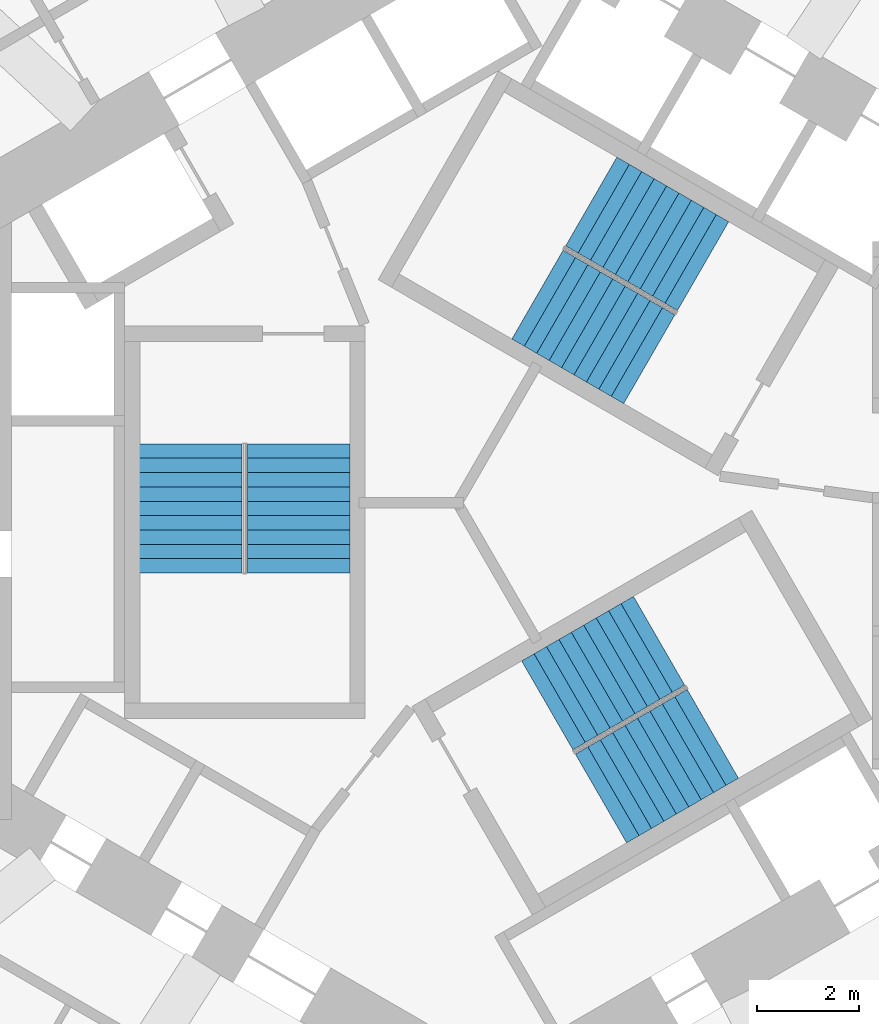
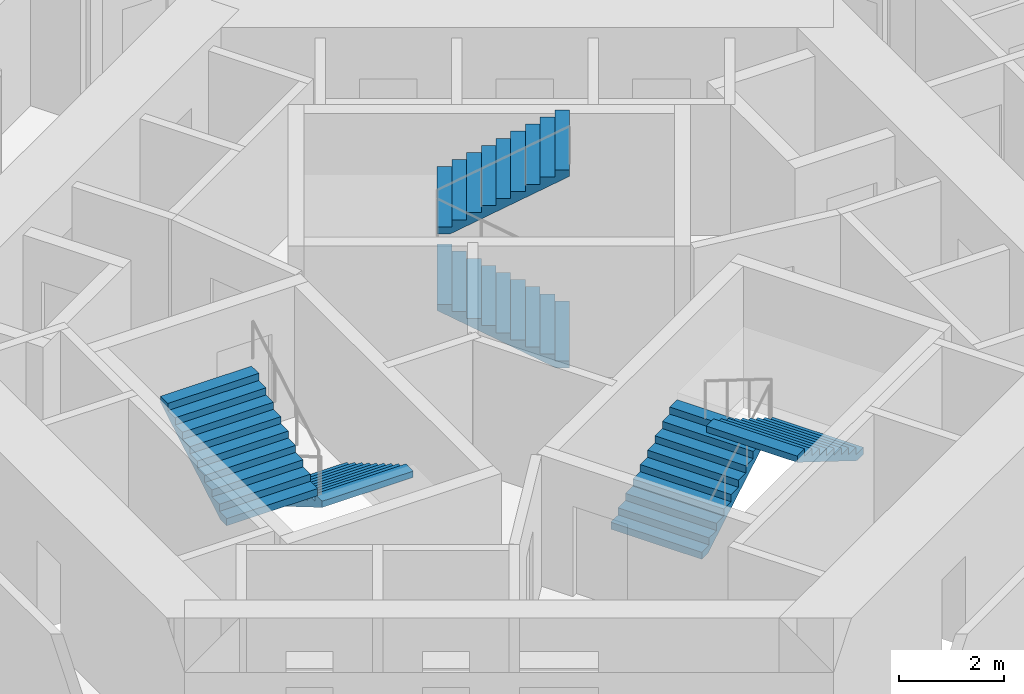
# One storey, part 10 of 12: 6 stair flights, 3 elements without a shape of their own.
"""IFC4 building model written with IfcOpenShell, lengths in metres."""

from ifc_helpers import new_model, si_unit, direction, frame, origin, place, context, subcontext, project, spatial, triangles, source, transform, mapped, material, type_object, element, aggregate, save


model = new_model("IFC4")

# Units and contexts
model_context = context("Model", 3, precision=1e-05, world=origin(), true_north=direction((0.0, 1.0)))
body_context = subcontext(model_context, "Body", "Model", "MODEL_VIEW")
ifc_project = project(units=[si_unit("LENGTHUNIT", "METRE"), si_unit("AREAUNIT", "SQUARE_METRE"), si_unit("VOLUMEUNIT", "CUBIC_METRE"), si_unit("PLANEANGLEUNIT", "RADIAN"), si_unit("MASSUNIT", "GRAM", prefix="KILO")], contexts=[model_context])

# Site, building, storey
site_placement = place(None, origin())
site = spatial("IfcSite", under=ifc_project, at=site_placement, CompositionType="ELEMENT")
building_placement = place(site_placement, origin())
building = spatial("IfcBuilding", under=site, at=building_placement, Name="Vanh Sen Convention Tower", CompositionType="ELEMENT")
storey_placement = place(building_placement, frame((0.0, 0.0, 110.0)))
storey = spatial("IfcBuildingStorey", under=building, at=storey_placement, Name="L26", CompositionType="ELEMENT", Elevation=110.0)

# Stair, stair flights
ifc_material_1 = material(Name="Concrete C50/60", Category="concrete")
stair_type_1 = type_object("IfcStairType", Name="Exit stair ST1 20 risers at 165.0", PredefinedType="HALF_TURN_STAIR", material=ifc_material_1)
stair_1_placement = place(storey_placement, origin())
stair_1 = element("IfcStair", 1, at=stair_1_placement, inside=storey, type_object=stair_type_1, Name="Exit stair ST1 L26", PredefinedType="HALF_TURN_STAIR")
ifc_material_2 = material(Name="Concrete C40/50", Category="concrete")
stair_flight_type = type_object("IfcStairFlightType", Name="Stair flight 2000", PredefinedType="STRAIGHT", material=ifc_material_2)
shared_shape = source(origin(), body_context, "Body", "Tessellation", [
    triangles([(0.24609375, 1.0, 0.0), (0.0, 1.0, 0.0), (0.0, 1.0, 0.1650390625), (0.280029296875, 1.0, 0.1650390625), (0.280029296875, 1.0, 0.330078125), (0.56005859375, 1.0, 0.330078125), (0.56005859375, 1.0, 0.4951171875), (0.840087890625, 1.0, 0.4951171875), (0.840087890625, 1.0, 0.659912109375), (1.1201171875, 1.0, 0.659912109375), (1.1201171875, 1.0, 0.824951171875), (1.39990234375, 1.0, 0.824951171875), (1.39990234375, 1.0, 0.989990234375), (1.679931640625, 1.0, 0.989990234375), (1.679931640625, 1.0, 1.155029296875), (1.9599609375, 1.0, 1.155029296875), (1.9599609375, 1.0, 1.320068359375), (2.239990234375, 1.0, 1.320068359375), (2.239990234375, 1.0, 1.485107421875), (2.52001953125, 1.0, 1.485107421875), (2.52001953125, 1.0, 1.33984375), (0.24609375, -1.0, 0.0), (0.0, -1.0, 0.0), (0.0, -1.0, 0.1650390625), (0.280029296875, -1.0, 0.1650390625), (0.280029296875, -1.0, 0.330078125), (0.56005859375, -1.0, 0.330078125), (0.56005859375, -1.0, 0.4951171875), (0.840087890625, -1.0, 0.4951171875), (0.840087890625, -1.0, 0.659912109375), (1.1201171875, -1.0, 0.659912109375), (1.1201171875, -1.0, 0.824951171875), (1.39990234375, -1.0, 0.824951171875), (1.39990234375, -1.0, 0.989990234375), (1.679931640625, -1.0, 0.989990234375), (1.679931640625, -1.0, 1.155029296875), (1.9599609375, -1.0, 1.155029296875), (1.9599609375, -1.0, 1.320068359375), (2.239990234375, -1.0, 1.320068359375), (2.239990234375, -1.0, 1.485107421875), (2.52001953125, -1.0, 1.485107421875), (2.52001953125, -1.0, 1.33984375), (0.0, 0.0400390625, 0.0), (0.0, 0.0390625, 0.0), (0.0, 0.0380859375, 0.0), (0.0, 0.037109375, 0.0), (0.0, 0.035888671875, 0.0), (0.0, 0.034912109375, 0.0), (0.0, 0.033935546875, 0.0), (0.0, 0.032958984375, 0.0), (0.0, 0.031982421875, 0.0), (0.0, 0.031005859375, 0.0), (0.0, 0.030029296875, 0.0), (0.0, 0.029052734375, 0.0), (0.0, 0.028076171875, 0.0), (0.0, 0.027099609375, 0.0), (0.0, 0.02587890625, 0.0), (0.0, 0.02490234375, 0.0), (0.0, 0.02392578125, 0.0), (0.0, 0.02294921875, 0.0), (0.0, 0.02197265625, 0.0), (0.0, 0.02099609375, 0.0), (0.0, 0.02001953125, 0.0), (0.0, 0.01904296875, 0.0), (0.0, 0.01806640625, 0.0), (0.0, 0.01708984375, 0.0), (0.0, 0.01611328125, 0.0), (0.0, 0.014892578125, 0.0), (0.0, 0.013916015625, 0.0), (0.0, 0.012939453125, 0.0), (0.0, 0.011962890625, 0.0), (0.0, 0.010986328125, 0.0), (0.0, 0.010009765625, 0.0), (0.0, 0.009033203125, 0.0), (0.0, 0.008056640625, 0.0), (0.0, 0.007080078125, 0.0), (0.0, 0.006103515625, 0.0), (0.0, 0.0048828125, 0.0), (0.0, 0.00390625, 0.0), (0.0, 0.0029296875, 0.0), (0.0, 0.001953125, 0.0), (0.0, 0.0009765625, 0.0), (0.0, 0.0, 0.0), (0.0, -0.0009765625, 0.0), (0.0, -0.001953125, 0.0), (0.0, -0.0029296875, 0.0), (0.0, -0.00390625, 0.0), (0.0, -0.0048828125, 0.0), (0.0, -0.006103515625, 0.0), (0.0, -0.007080078125, 0.0), (0.0, -0.008056640625, 0.0), (0.0, -0.009033203125, 0.0), (0.0, -0.010009765625, 0.0), (0.0, -0.010986328125, 0.0), (0.0, -0.011962890625, 0.0), (0.0, -0.012939453125, 0.0), (0.0, -0.013916015625, 0.0), (0.0, -0.014892578125, 0.0), (0.0, -0.01611328125, 0.0), (0.0, -0.01708984375, 0.0), (0.0, -0.01806640625, 0.0), (0.0, -0.01904296875, 0.0), (0.0, -0.02001953125, 0.0), (0.0, -0.02099609375, 0.0), (0.0, -0.02197265625, 0.0), (0.0, -0.02294921875, 0.0), (0.0, -0.02392578125, 0.0), (0.0, -0.02490234375, 0.0), (0.0, -0.02587890625, 0.0), (0.0, -0.027099609375, 0.0), (0.0, -0.028076171875, 0.0), (0.0, -0.029052734375, 0.0), (0.0, -0.030029296875, 0.0), (0.0, -0.031005859375, 0.0), (0.0, -0.031982421875, 0.0), (0.0, -0.032958984375, 0.0), (0.0, -0.033935546875, 0.0), (0.0, -0.034912109375, 0.0), (0.0, -0.035888671875, 0.0), (0.0, -0.037109375, 0.0), (0.0, -0.0380859375, 0.0), (0.0, -0.0390625, 0.0), (0.0, -0.0400390625, 0.0), (0.0, 0.0400390625, 0.1650390625), (0.0, 0.0390625, 0.1650390625), (0.0, 0.0380859375, 0.1650390625), (0.0, 0.037109375, 0.1650390625), (0.0, 0.035888671875, 0.1650390625), (0.0, 0.034912109375, 0.1650390625), (0.0, 0.033935546875, 0.1650390625), (0.0, 0.032958984375, 0.1650390625), (0.0, 0.031982421875, 0.1650390625), (0.0, 0.031005859375, 0.1650390625), (0.0, 0.030029296875, 0.1650390625), (0.0, 0.029052734375, 0.1650390625), (0.0, 0.028076171875, 0.1650390625), (0.0, 0.027099609375, 0.1650390625), (0.0, 0.02587890625, 0.1650390625), (0.0, 0.02490234375, 0.1650390625), (0.0, 0.02392578125, 0.1650390625), (0.0, 0.02294921875, 0.1650390625), (0.0, 0.02197265625, 0.1650390625), (0.0, 0.02099609375, 0.1650390625), (0.0, 0.02001953125, 0.1650390625), (0.0, 0.01904296875, 0.1650390625), (0.0, 0.01806640625, 0.1650390625), (0.0, 0.01708984375, 0.1650390625), (0.0, 0.01611328125, 0.1650390625), (0.0, 0.014892578125, 0.1650390625), (0.0, 0.013916015625, 0.1650390625), (0.0, 0.012939453125, 0.1650390625), (0.0, 0.011962890625, 0.1650390625), (0.0, 0.010986328125, 0.1650390625), (0.0, 0.010009765625, 0.1650390625), (0.0, 0.009033203125, 0.1650390625), (0.0, 0.008056640625, 0.1650390625), (0.0, 0.007080078125, 0.1650390625), (0.0, 0.006103515625, 0.1650390625), (0.0, 0.0048828125, 0.1650390625), (0.0, 0.00390625, 0.1650390625), (0.0, 0.0029296875, 0.1650390625), (0.0, 0.001953125, 0.1650390625), (0.0, 0.0009765625, 0.1650390625), (0.0, 0.0, 0.1650390625), (0.0, -0.0009765625, 0.1650390625), (0.0, -0.001953125, 0.1650390625), (0.0, -0.0029296875, 0.1650390625), (0.0, -0.00390625, 0.1650390625), (0.0, -0.0048828125, 0.1650390625), (0.0, -0.006103515625, 0.1650390625), (0.0, -0.007080078125, 0.1650390625), (0.0, -0.008056640625, 0.1650390625), (0.0, -0.009033203125, 0.1650390625), (0.0, -0.010009765625, 0.1650390625), (0.0, -0.010986328125, 0.1650390625), (0.0, -0.011962890625, 0.1650390625), (0.0, -0.012939453125, 0.1650390625), (0.0, -0.013916015625, 0.1650390625), (0.0, -0.014892578125, 0.1650390625), (0.0, -0.01611328125, 0.1650390625), (0.0, -0.01708984375, 0.1650390625), (0.0, -0.01806640625, 0.1650390625), (0.0, -0.01904296875, 0.1650390625), (0.0, -0.02001953125, 0.1650390625), (0.0, -0.02099609375, 0.1650390625), (0.0, -0.02197265625, 0.1650390625), (0.0, -0.02294921875, 0.1650390625), (0.0, -0.02392578125, 0.1650390625), (0.0, -0.02490234375, 0.1650390625), (0.0, -0.02587890625, 0.1650390625), (0.0, -0.027099609375, 0.1650390625), (0.0, -0.028076171875, 0.1650390625), (0.0, -0.029052734375, 0.1650390625), (0.0, -0.030029296875, 0.1650390625), (0.0, -0.031005859375, 0.1650390625), (0.0, -0.031982421875, 0.1650390625), (0.0, -0.032958984375, 0.1650390625), (0.0, -0.033935546875, 0.1650390625), (0.0, -0.034912109375, 0.1650390625), (0.0, -0.035888671875, 0.1650390625), (0.0, -0.037109375, 0.1650390625), (0.0, -0.0380859375, 0.1650390625), (0.0, -0.0390625, 0.1650390625), (0.0, -0.0400390625, 0.1650390625), (0.280029296875, 0.0, 0.1650390625), (0.280029296875, 0.0, 0.330078125), (0.56005859375, 0.0, 0.330078125), (0.56005859375, 0.0, 0.4951171875), (0.840087890625, 0.0, 0.4951171875), (0.840087890625, 0.0, 0.659912109375), (1.1201171875, 0.0, 0.659912109375), (1.1201171875, 0.0, 0.824951171875), (1.39990234375, 0.0, 0.824951171875), (1.39990234375, 0.0, 0.989990234375), (1.679931640625, 0.0, 0.989990234375), (1.679931640625, 0.0, 1.155029296875), (1.9599609375, 0.0, 1.155029296875), (1.9599609375, 0.0, 1.320068359375), (2.239990234375, 0.0, 1.320068359375), (2.239990234375, 0.0, 1.485107421875), (2.52001953125, 0.0400390625, 1.485107421875), (2.52001953125, 0.0390625, 1.485107421875), (2.52001953125, 0.0380859375, 1.485107421875), (2.52001953125, 0.037109375, 1.485107421875), (2.52001953125, 0.035888671875, 1.485107421875), (2.52001953125, 0.034912109375, 1.485107421875), (2.52001953125, 0.033935546875, 1.485107421875), (2.52001953125, 0.032958984375, 1.485107421875), (2.52001953125, 0.031982421875, 1.485107421875), (2.52001953125, 0.031005859375, 1.485107421875), (2.52001953125, 0.030029296875, 1.485107421875), (2.52001953125, 0.029052734375, 1.485107421875), (2.52001953125, 0.028076171875, 1.485107421875), (2.52001953125, 0.027099609375, 1.485107421875), (2.52001953125, 0.02587890625, 1.485107421875), (2.52001953125, 0.02490234375, 1.485107421875), (2.52001953125, 0.02392578125, 1.485107421875), (2.52001953125, 0.02294921875, 1.485107421875), (2.52001953125, 0.02197265625, 1.485107421875), (2.52001953125, 0.02099609375, 1.485107421875), (2.52001953125, 0.02001953125, 1.485107421875), (2.52001953125, 0.01904296875, 1.485107421875), (2.52001953125, 0.01806640625, 1.485107421875), (2.52001953125, 0.01708984375, 1.485107421875), (2.52001953125, 0.01611328125, 1.485107421875), (2.52001953125, 0.014892578125, 1.485107421875), (2.52001953125, 0.013916015625, 1.485107421875), (2.52001953125, 0.012939453125, 1.485107421875), (2.52001953125, 0.011962890625, 1.485107421875), (2.52001953125, 0.010986328125, 1.485107421875), (2.52001953125, 0.010009765625, 1.485107421875), (2.52001953125, 0.009033203125, 1.485107421875), (2.52001953125, 0.008056640625, 1.485107421875), (2.52001953125, 0.007080078125, 1.485107421875), (2.52001953125, 0.006103515625, 1.485107421875), (2.52001953125, 0.0048828125, 1.485107421875), (2.52001953125, 0.00390625, 1.485107421875), (2.52001953125, 0.0029296875, 1.485107421875), (2.52001953125, 0.001953125, 1.485107421875), (2.52001953125, 0.0009765625, 1.485107421875), (2.52001953125, 0.0, 1.485107421875), (2.52001953125, -0.0009765625, 1.485107421875), (2.52001953125, -0.001953125, 1.485107421875), (2.52001953125, -0.0029296875, 1.485107421875), (2.52001953125, -0.00390625, 1.485107421875), (2.52001953125, -0.0048828125, 1.485107421875), (2.52001953125, -0.006103515625, 1.485107421875), (2.52001953125, -0.007080078125, 1.485107421875), (2.52001953125, -0.008056640625, 1.485107421875), (2.52001953125, -0.009033203125, 1.485107421875), (2.52001953125, -0.010009765625, 1.485107421875), (2.52001953125, -0.010986328125, 1.485107421875), (2.52001953125, -0.011962890625, 1.485107421875), (2.52001953125, -0.012939453125, 1.485107421875), (2.52001953125, -0.013916015625, 1.485107421875), (2.52001953125, -0.014892578125, 1.485107421875), (2.52001953125, -0.01611328125, 1.485107421875), (2.52001953125, -0.01708984375, 1.485107421875), (2.52001953125, -0.01806640625, 1.485107421875), (2.52001953125, -0.01904296875, 1.485107421875), (2.52001953125, -0.02001953125, 1.485107421875), (2.52001953125, -0.02099609375, 1.485107421875), (2.52001953125, -0.02197265625, 1.485107421875), (2.52001953125, -0.02294921875, 1.485107421875), (2.52001953125, -0.02392578125, 1.485107421875), (2.52001953125, -0.02490234375, 1.485107421875), (2.52001953125, -0.02587890625, 1.485107421875), (2.52001953125, -0.027099609375, 1.485107421875), (2.52001953125, -0.028076171875, 1.485107421875), (2.52001953125, -0.029052734375, 1.485107421875), (2.52001953125, -0.030029296875, 1.485107421875), (2.52001953125, -0.031005859375, 1.485107421875), (2.52001953125, -0.031982421875, 1.485107421875), (2.52001953125, -0.032958984375, 1.485107421875), (2.52001953125, -0.033935546875, 1.485107421875), (2.52001953125, -0.034912109375, 1.485107421875), (2.52001953125, -0.035888671875, 1.485107421875), (2.52001953125, -0.037109375, 1.485107421875), (2.52001953125, -0.0380859375, 1.485107421875), (2.52001953125, -0.0390625, 1.485107421875), (2.52001953125, -0.0400390625, 1.485107421875), (2.52001953125, 0.0400390625, 1.33984375), (2.52001953125, 0.0390625, 1.33984375), (2.52001953125, 0.0380859375, 1.33984375), (2.52001953125, 0.037109375, 1.33984375), (2.52001953125, 0.035888671875, 1.33984375), (2.52001953125, 0.034912109375, 1.33984375), (2.52001953125, 0.033935546875, 1.33984375), (2.52001953125, 0.032958984375, 1.33984375), (2.52001953125, 0.031982421875, 1.33984375), (2.52001953125, 0.031005859375, 1.33984375), (2.52001953125, 0.030029296875, 1.33984375), (2.52001953125, 0.029052734375, 1.33984375), (2.52001953125, 0.028076171875, 1.33984375), (2.52001953125, 0.027099609375, 1.33984375), (2.52001953125, 0.02587890625, 1.33984375), (2.52001953125, 0.02490234375, 1.33984375), (2.52001953125, 0.02392578125, 1.33984375), (2.52001953125, 0.02294921875, 1.33984375), (2.52001953125, 0.02197265625, 1.33984375), (2.52001953125, 0.02099609375, 1.33984375), (2.52001953125, 0.02001953125, 1.33984375), (2.52001953125, 0.01904296875, 1.33984375), (2.52001953125, 0.01806640625, 1.33984375), (2.52001953125, 0.01708984375, 1.33984375), (2.52001953125, 0.01611328125, 1.33984375), (2.52001953125, 0.014892578125, 1.33984375), (2.52001953125, 0.013916015625, 1.33984375), (2.52001953125, 0.012939453125, 1.33984375), (2.52001953125, 0.011962890625, 1.33984375), (2.52001953125, 0.010986328125, 1.33984375), (2.52001953125, 0.010009765625, 1.33984375), (2.52001953125, 0.009033203125, 1.33984375), (2.52001953125, 0.008056640625, 1.33984375), (2.52001953125, 0.007080078125, 1.33984375), (2.52001953125, 0.006103515625, 1.33984375), (2.52001953125, 0.0048828125, 1.33984375), (2.52001953125, 0.00390625, 1.33984375), (2.52001953125, 0.0029296875, 1.33984375), (2.52001953125, 0.001953125, 1.33984375), (2.52001953125, 0.0009765625, 1.33984375), (2.52001953125, 0.0, 1.33984375), (2.52001953125, -0.0009765625, 1.33984375), (2.52001953125, -0.001953125, 1.33984375), (2.52001953125, -0.0029296875, 1.33984375), (2.52001953125, -0.00390625, 1.33984375), (2.52001953125, -0.0048828125, 1.33984375), (2.52001953125, -0.006103515625, 1.33984375), (2.52001953125, -0.007080078125, 1.33984375), (2.52001953125, -0.008056640625, 1.33984375), (2.52001953125, -0.009033203125, 1.33984375), (2.52001953125, -0.010009765625, 1.33984375), (2.52001953125, -0.010986328125, 1.33984375), (2.52001953125, -0.011962890625, 1.33984375), (2.52001953125, -0.012939453125, 1.33984375), (2.52001953125, -0.013916015625, 1.33984375), (2.52001953125, -0.014892578125, 1.33984375), (2.52001953125, -0.01611328125, 1.33984375), (2.52001953125, -0.01708984375, 1.33984375), (2.52001953125, -0.01806640625, 1.33984375), (2.52001953125, -0.01904296875, 1.33984375), (2.52001953125, -0.02001953125, 1.33984375), (2.52001953125, -0.02099609375, 1.33984375), (2.52001953125, -0.02197265625, 1.33984375), (2.52001953125, -0.02294921875, 1.33984375), (2.52001953125, -0.02392578125, 1.33984375), (2.52001953125, -0.02490234375, 1.33984375), (2.52001953125, -0.02587890625, 1.33984375), (2.52001953125, -0.027099609375, 1.33984375), (2.52001953125, -0.028076171875, 1.33984375), (2.52001953125, -0.029052734375, 1.33984375), (2.52001953125, -0.030029296875, 1.33984375), (2.52001953125, -0.031005859375, 1.33984375), (2.52001953125, -0.031982421875, 1.33984375), (2.52001953125, -0.032958984375, 1.33984375), (2.52001953125, -0.033935546875, 1.33984375), (2.52001953125, -0.034912109375, 1.33984375), (2.52001953125, -0.035888671875, 1.33984375), (2.52001953125, -0.037109375, 1.33984375), (2.52001953125, -0.0380859375, 1.33984375), (2.52001953125, -0.0390625, 1.33984375), (2.52001953125, -0.0400390625, 1.33984375), (0.24609375, 0.0, 0.0)], [[1, 2, 3], [1, 3, 4], [4, 5, 6], [1, 4, 6], [6, 7, 8], [1, 6, 8], [8, 9, 10], [1, 8, 10], [10, 11, 12], [1, 10, 12], [12, 13, 14], [1, 12, 14], [14, 15, 16], [1, 14, 16], [16, 17, 18], [1, 16, 18], [18, 19, 20], [1, 18, 20], [20, 21, 1], [22, 24, 23], [22, 25, 24], [25, 27, 26], [22, 27, 25], [27, 29, 28], [22, 29, 27], [29, 31, 30], [22, 31, 29], [31, 33, 32], [22, 33, 31], [33, 35, 34], [22, 35, 33], [35, 37, 36], [22, 37, 35], [37, 39, 38], [22, 39, 37], [39, 41, 40], [22, 41, 39], [41, 22, 42], [2, 124, 3], [2, 43, 124], [43, 125, 124], [43, 44, 125], [44, 126, 125], [44, 45, 126], [45, 127, 126], [45, 46, 127], [46, 128, 127], [46, 47, 128], [47, 129, 128], [47, 48, 129], [48, 130, 129], [48, 49, 130], [49, 131, 130], [49, 50, 131], [50, 132, 131], [50, 51, 132], [51, 133, 132], [51, 52, 133], [52, 134, 133], [52, 53, 134], [53, 135, 134], [53, 54, 135], [54, 136, 135], [54, 55, 136], [55, 137, 136], [55, 56, 137], [56, 138, 137], [56, 57, 138], [57, 139, 138], [57, 58, 139], [58, 140, 139], [58, 59, 140], [59, 141, 140], [59, 60, 141], [60, 142, 141], [60, 61, 142], [61, 143, 142], [61, 62, 143], [62, 144, 143], [62, 63, 144], [63, 145, 144], [63, 64, 145], [64, 146, 145], [64, 65, 146], [65, 147, 146], [65, 66, 147], [66, 148, 147], [66, 67, 148], [67, 149, 148], [67, 68, 149], [68, 150, 149], [68, 69, 150], [69, 151, 150], [69, 70, 151], [70, 152, 151], [70, 71, 152], [71, 153, 152], [71, 72, 153], [72, 154, 153], [72, 73, 154], [73, 155, 154], [73, 74, 155], [74, 156, 155], [74, 75, 156], [75, 157, 156], [75, 76, 157], [76, 158, 157], [76, 77, 158], [77, 159, 158], [77, 78, 159], [78, 160, 159], [78, 79, 160], [79, 161, 160], [79, 80, 161], [80, 162, 161], [80, 81, 162], [81, 163, 162], [81, 82, 163], [82, 164, 163], [82, 83, 164], [83, 84, 164], [164, 84, 165], [84, 85, 165], [165, 85, 166], [85, 86, 166], [166, 86, 167], [86, 87, 167], [167, 87, 168], [87, 88, 168], [168, 88, 169], [88, 89, 169], [169, 89, 170], [89, 90, 170], [170, 90, 171], [90, 91, 171], [171, 91, 172], [91, 92, 172], [172, 92, 173], [92, 93, 173], [173, 93, 174], [93, 94, 174], [174, 94, 175], [94, 95, 175], [175, 95, 176], [95, 96, 176], [176, 96, 177], [96, 97, 177], [177, 97, 178], [97, 98, 178], [178, 98, 179], [98, 99, 179], [179, 99, 180], [99, 100, 180], [180, 100, 181], [100, 101, 181], [181, 101, 182], [101, 102, 182], [182, 102, 183], [102, 103, 183], [183, 103, 184], [103, 104, 184], [184, 104, 185], [104, 105, 185], [185, 105, 186], [105, 106, 186], [186, 106, 187], [106, 107, 187], [187, 107, 188], [107, 108, 188], [188, 108, 189], [108, 109, 189], [189, 109, 190], [109, 110, 190], [190, 110, 191], [110, 111, 191], [191, 111, 192], [111, 112, 192], [192, 112, 193], [112, 113, 193], [193, 113, 194], [113, 114, 194], [194, 114, 195], [114, 115, 195], [195, 115, 196], [115, 116, 196], [196, 116, 197], [116, 117, 197], [197, 117, 198], [117, 118, 198], [198, 118, 199], [118, 119, 199], [199, 119, 200], [119, 120, 200], [200, 120, 201], [120, 121, 201], [201, 121, 202], [121, 122, 202], [202, 122, 203], [122, 123, 203], [203, 123, 204], [123, 23, 204], [204, 23, 24], [4, 3, 124], [4, 124, 125], [4, 125, 126], [4, 126, 127], [4, 127, 128], [4, 128, 129], [4, 129, 130], [4, 130, 131], [4, 131, 132], [4, 132, 133], [4, 133, 134], [4, 134, 135], [4, 135, 136], [4, 136, 137], [4, 137, 138], [4, 138, 139], [4, 139, 140], [4, 140, 141], [4, 141, 142], [4, 142, 143], [4, 143, 144], [4, 144, 145], [4, 145, 146], [4, 146, 147], [4, 147, 148], [4, 148, 149], [4, 149, 150], [4, 150, 151], [4, 151, 152], [4, 152, 153], [4, 153, 154], [4, 154, 155], [4, 155, 156], [4, 156, 157], [4, 157, 158], [4, 158, 159], [4, 159, 160], [4, 160, 161], [4, 161, 162], [4, 162, 163], [4, 163, 164], [25, 164, 165], [25, 165, 166], [25, 166, 167], [25, 167, 168], [25, 168, 169], [25, 169, 170], [25, 170, 171], [25, 171, 172], [25, 172, 173], [25, 173, 174], [25, 174, 175], [25, 175, 176], [25, 176, 177], [25, 177, 178], [25, 178, 179], [25, 179, 180], [25, 180, 181], [25, 181, 182], [25, 182, 183], [25, 183, 184], [25, 184, 185], [25, 185, 186], [25, 186, 187], [25, 187, 188], [25, 188, 189], [25, 189, 190], [25, 190, 191], [25, 191, 192], [25, 192, 193], [25, 193, 194], [25, 194, 195], [25, 195, 196], [25, 196, 197], [25, 197, 198], [25, 198, 199], [25, 199, 200], [25, 200, 201], [25, 201, 202], [25, 202, 203], [25, 203, 204], [25, 204, 24], [4, 164, 205], [25, 205, 164], [4, 206, 5], [4, 205, 206], [205, 25, 206], [206, 25, 26], [5, 207, 6], [5, 206, 207], [206, 26, 207], [207, 26, 27], [6, 208, 7], [6, 207, 208], [207, 27, 208], [208, 27, 28], [7, 209, 8], [7, 208, 209], [208, 28, 209], [209, 28, 29], [8, 210, 9], [8, 209, 210], [209, 29, 210], [210, 29, 30], [9, 211, 10], [9, 210, 211], [210, 30, 211], [211, 30, 31], [10, 212, 11], [10, 211, 212], [211, 31, 212], [212, 31, 32], [11, 213, 12], [11, 212, 213], [212, 32, 213], [213, 32, 33], [12, 214, 13], [12, 213, 214], [213, 33, 214], [214, 33, 34], [13, 215, 14], [13, 214, 215], [214, 34, 215], [215, 34, 35], [14, 216, 15], [14, 215, 216], [215, 35, 216], [216, 35, 36], [15, 217, 16], [15, 216, 217], [216, 36, 217], [217, 36, 37], [16, 218, 17], [16, 217, 218], [217, 37, 218], [218, 37, 38], [17, 219, 18], [17, 218, 219], [218, 38, 219], [219, 38, 39], [18, 220, 19], [18, 219, 220], [219, 39, 220], [220, 39, 40], [19, 221, 20], [19, 222, 221], [19, 223, 222], [19, 224, 223], [19, 225, 224], [19, 226, 225], [19, 227, 226], [19, 228, 227], [19, 229, 228], [19, 230, 229], [19, 231, 230], [19, 232, 231], [19, 233, 232], [19, 234, 233], [19, 235, 234], [19, 236, 235], [19, 237, 236], [19, 238, 237], [19, 239, 238], [19, 240, 239], [19, 241, 240], [19, 242, 241], [19, 243, 242], [19, 244, 243], [19, 245, 244], [19, 246, 245], [19, 247, 246], [19, 248, 247], [19, 249, 248], [19, 250, 249], [19, 251, 250], [19, 252, 251], [19, 253, 252], [19, 254, 253], [19, 255, 254], [19, 256, 255], [19, 257, 256], [19, 258, 257], [19, 259, 258], [19, 260, 259], [19, 261, 260], [40, 262, 261], [40, 263, 262], [40, 264, 263], [40, 265, 264], [40, 266, 265], [40, 267, 266], [40, 268, 267], [40, 269, 268], [40, 270, 269], [40, 271, 270], [40, 272, 271], [40, 273, 272], [40, 274, 273], [40, 275, 274], [40, 276, 275], [40, 277, 276], [40, 278, 277], [40, 279, 278], [40, 280, 279], [40, 281, 280], [40, 282, 281], [40, 283, 282], [40, 284, 283], [40, 285, 284], [40, 286, 285], [40, 287, 286], [40, 288, 287], [40, 289, 288], [40, 290, 289], [40, 291, 290], [40, 292, 291], [40, 293, 292], [40, 294, 293], [40, 295, 294], [40, 296, 295], [40, 297, 296], [40, 298, 297], [40, 299, 298], [40, 300, 299], [40, 301, 300], [40, 41, 301], [19, 220, 261], [40, 261, 220], [20, 302, 21], [20, 221, 302], [221, 303, 302], [221, 222, 303], [222, 304, 303], [222, 223, 304], [223, 305, 304], [223, 224, 305], [224, 306, 305], [224, 225, 306], [225, 307, 306], [225, 226, 307], [226, 308, 307], [226, 227, 308], [227, 309, 308], [227, 228, 309], [228, 310, 309], [228, 229, 310], [229, 311, 310], [229, 230, 311], [230, 312, 311], [230, 231, 312], [231, 313, 312], [231, 232, 313], [232, 314, 313], [232, 233, 314], [233, 315, 314], [233, 234, 315], [234, 316, 315], [234, 235, 316], [235, 317, 316], [235, 236, 317], [236, 318, 317], [236, 237, 318], [237, 319, 318], [237, 238, 319], [238, 320, 319], [238, 239, 320], [239, 321, 320], [239, 240, 321], [240, 322, 321], [240, 241, 322], [241, 323, 322], [241, 242, 323], [242, 324, 323], [242, 243, 324], [243, 325, 324], [243, 244, 325], [244, 326, 325], [244, 245, 326], [245, 327, 326], [245, 246, 327], [246, 328, 327], [246, 247, 328], [247, 329, 328], [247, 248, 329], [248, 330, 329], [248, 249, 330], [249, 331, 330], [249, 250, 331], [250, 332, 331], [250, 251, 332], [251, 333, 332], [251, 252, 333], [252, 334, 333], [252, 253, 334], [253, 335, 334], [253, 254, 335], [254, 336, 335], [254, 255, 336], [255, 337, 336], [255, 256, 337], [256, 338, 337], [256, 257, 338], [257, 339, 338], [257, 258, 339], [258, 340, 339], [258, 259, 340], [259, 341, 340], [259, 260, 341], [260, 342, 341], [260, 261, 342], [261, 262, 342], [342, 262, 343], [262, 263, 343], [343, 263, 344], [263, 264, 344], [344, 264, 345], [264, 265, 345], [345, 265, 346], [265, 266, 346], [346, 266, 347], [266, 267, 347], [347, 267, 348], [267, 268, 348], [348, 268, 349], [268, 269, 349], [349, 269, 350], [269, 270, 350], [350, 270, 351], [270, 271, 351], [351, 271, 352], [271, 272, 352], [352, 272, 353], [272, 273, 353], [353, 273, 354], [273, 274, 354], [354, 274, 355], [274, 275, 355], [355, 275, 356], [275, 276, 356], [356, 276, 357], [276, 277, 357], [357, 277, 358], [277, 278, 358], [358, 278, 359], [278, 279, 359], [359, 279, 360], [279, 280, 360], [360, 280, 361], [280, 281, 361], [361, 281, 362], [281, 282, 362], [362, 282, 363], [282, 283, 363], [363, 283, 364], [283, 284, 364], [364, 284, 365], [284, 285, 365], [365, 285, 366], [285, 286, 366], [366, 286, 367], [286, 287, 367], [367, 287, 368], [287, 288, 368], [368, 288, 369], [288, 289, 369], [369, 289, 370], [289, 290, 370], [370, 290, 371], [290, 291, 371], [371, 291, 372], [291, 292, 372], [372, 292, 373], [292, 293, 373], [373, 293, 374], [293, 294, 374], [374, 294, 375], [294, 295, 375], [375, 295, 376], [295, 296, 376], [376, 296, 377], [296, 297, 377], [377, 297, 378], [297, 298, 378], [378, 298, 379], [298, 299, 379], [379, 299, 380], [299, 300, 380], [380, 300, 381], [300, 301, 381], [381, 301, 382], [301, 41, 382], [382, 41, 42], [1, 21, 302], [1, 302, 303], [1, 303, 304], [1, 304, 305], [1, 305, 306], [1, 306, 307], [1, 307, 308], [1, 308, 309], [1, 309, 310], [1, 310, 311], [1, 311, 312], [1, 312, 313], [1, 313, 314], [1, 314, 315], [1, 315, 316], [1, 316, 317], [1, 317, 318], [1, 318, 319], [1, 319, 320], [1, 320, 321], [1, 321, 322], [1, 322, 323], [1, 323, 324], [1, 324, 325], [1, 325, 326], [1, 326, 327], [1, 327, 328], [1, 328, 329], [1, 329, 330], [1, 330, 331], [1, 331, 332], [1, 332, 333], [1, 333, 334], [1, 334, 335], [1, 335, 336], [1, 336, 337], [1, 337, 338], [1, 338, 339], [1, 339, 340], [1, 340, 341], [1, 341, 342], [22, 342, 343], [22, 343, 344], [22, 344, 345], [22, 345, 346], [22, 346, 347], [22, 347, 348], [22, 348, 349], [22, 349, 350], [22, 350, 351], [22, 351, 352], [22, 352, 353], [22, 353, 354], [22, 354, 355], [22, 355, 356], [22, 356, 357], [22, 357, 358], [22, 358, 359], [22, 359, 360], [22, 360, 361], [22, 361, 362], [22, 362, 363], [22, 363, 364], [22, 364, 365], [22, 365, 366], [22, 366, 367], [22, 367, 368], [22, 368, 369], [22, 369, 370], [22, 370, 371], [22, 371, 372], [22, 372, 373], [22, 373, 374], [22, 374, 375], [22, 375, 376], [22, 376, 377], [22, 377, 378], [22, 378, 379], [22, 379, 380], [22, 380, 381], [22, 381, 382], [22, 382, 42], [1, 342, 383], [22, 383, 342], [1, 43, 2], [1, 44, 43], [1, 45, 44], [1, 46, 45], [1, 47, 46], [1, 48, 47], [1, 49, 48], [1, 50, 49], [1, 51, 50], [1, 52, 51], [1, 53, 52], [1, 54, 53], [1, 55, 54], [1, 56, 55], [1, 57, 56], [1, 58, 57], [1, 59, 58], [1, 60, 59], [1, 61, 60], [1, 62, 61], [1, 63, 62], [1, 64, 63], [1, 65, 64], [1, 66, 65], [1, 67, 66], [1, 68, 67], [1, 69, 68], [1, 70, 69], [1, 71, 70], [1, 72, 71], [1, 73, 72], [1, 74, 73], [1, 75, 74], [1, 76, 75], [1, 77, 76], [1, 78, 77], [1, 79, 78], [1, 80, 79], [1, 81, 80], [1, 82, 81], [1, 83, 82], [22, 84, 83], [22, 85, 84], [22, 86, 85], [22, 87, 86], [22, 88, 87], [22, 89, 88], [22, 90, 89], [22, 91, 90], [22, 92, 91], [22, 93, 92], [22, 94, 93], [22, 95, 94], [22, 96, 95], [22, 97, 96], [22, 98, 97], [22, 99, 98], [22, 100, 99], [22, 101, 100], [22, 102, 101], [22, 103, 102], [22, 104, 103], [22, 105, 104], [22, 106, 105], [22, 107, 106], [22, 108, 107], [22, 109, 108], [22, 110, 109], [22, 111, 110], [22, 112, 111], [22, 113, 112], [22, 114, 113], [22, 115, 114], [22, 116, 115], [22, 117, 116], [22, 118, 117], [22, 119, 118], [22, 120, 119], [22, 121, 120], [22, 122, 121], [22, 123, 122], [22, 23, 123], [1, 383, 83], [22, 83, 383]], closed=True),
])
stair_flight_1_placement = place(storey_placement, frame((2.94580078125, 2.802490234375, 0.0), z_axis=(0.0, 0.0, 1.0), x_axis=(-0.866025403784, 0.5, 0.0)))
stair_flight_1 = element("IfcStairFlight", 2, at=stair_flight_1_placement, type_object=stair_flight_type, Name="ST1 flight 1", NumberOfRisers=10, NumberOfTreads=9, PredefinedType="STRAIGHT", RiserHeight=0.165, TreadLength=0.28, context=body_context, shape_type="MappedRepresentation", body=[
    mapped(shared_shape, transform((0.0, 0.0, 0.0))),
])
stair_flight_2_placement = place(storey_placement, frame((1.8134765625, 5.881103515625, 1.64990234375), z_axis=(0.0, 0.0, 1.0), x_axis=(0.866025403784, -0.5, 0.0)))
stair_flight_2 = element("IfcStairFlight", 3, at=stair_flight_2_placement, type_object=stair_flight_type, Name="ST1 flight 2", NumberOfRisers=10, NumberOfTreads=9, PredefinedType="STRAIGHT", RiserHeight=0.165, TreadLength=0.28, context=body_context, shape_type="MappedRepresentation", body=[
    mapped(shared_shape, transform((0.0, 0.0, 0.0))),
])
aggregate(stair_1, [stair_flight_1, stair_flight_2])

stair_type_2 = type_object("IfcStairType", Name="Exit stair ST2 20 risers at 165.0", PredefinedType="HALF_TURN_STAIR", material=ifc_material_1)
stair_2_placement = place(storey_placement, origin())
stair_2 = element("IfcStair", 4, at=stair_2_placement, inside=storey, type_object=stair_type_2, Name="Exit stair ST2 L26", PredefinedType="HALF_TURN_STAIR")
stair_flight_3_placement = place(storey_placement, frame((-3.89990234375, 1.14990234375, 0.0), z_axis=(0.0, 0.0, 1.0), x_axis=(0.0, -1.0, 0.0)))
stair_flight_3 = element("IfcStairFlight", 5, at=stair_flight_3_placement, type_object=stair_flight_type, Name="ST2 flight 1", NumberOfRisers=10, NumberOfTreads=9, PredefinedType="STRAIGHT", RiserHeight=0.165, TreadLength=0.28, context=body_context, shape_type="MappedRepresentation", body=[
    mapped(shared_shape, transform((0.0, 0.0, 0.0))),
])
stair_flight_4_placement = place(storey_placement, frame((-6.0, -1.3701171875, 1.64990234375), z_axis=(0.0, 0.0, 1.0), x_axis=(0.0, 1.0, 0.0)))
stair_flight_4 = element("IfcStairFlight", 6, at=stair_flight_4_placement, type_object=stair_flight_type, Name="ST2 flight 2", NumberOfRisers=10, NumberOfTreads=9, PredefinedType="STRAIGHT", RiserHeight=0.165, TreadLength=0.28, context=body_context, shape_type="MappedRepresentation", body=[
    mapped(shared_shape, transform((0.0, 0.0, 0.0))),
])
aggregate(stair_2, [stair_flight_3, stair_flight_4])

stair_type_3 = type_object("IfcStairType", Name="Exit stair ST3 20 risers at 165.0", PredefinedType="HALF_TURN_STAIR", material=ifc_material_1)
stair_3_placement = place(storey_placement, origin())
stair_3 = element("IfcStair", 7, at=stair_3_placement, inside=storey, type_object=stair_type_3, Name="Exit stair ST3 L26", PredefinedType="HALF_TURN_STAIR")
stair_flight_5_placement = place(storey_placement, frame((0.9541015625, -3.952392578125, 0.0), z_axis=(0.0, 0.0, 1.0), x_axis=(0.866025403784, 0.5, 0.0)))
stair_flight_5 = element("IfcStairFlight", 8, at=stair_flight_5_placement, type_object=stair_flight_type, Name="ST3 flight 1", NumberOfRisers=10, NumberOfTreads=9, PredefinedType="STRAIGHT", RiserHeight=0.165, TreadLength=0.28, context=body_context, shape_type="MappedRepresentation", body=[
    mapped(shared_shape, transform((0.0, 0.0, 0.0))),
])
stair_flight_6_placement = place(storey_placement, frame((4.1865234375, -4.51123046875, 1.64990234375), z_axis=(0.0, 0.0, 1.0), x_axis=(-0.866025403784, -0.5, 0.0)))
stair_flight_6 = element("IfcStairFlight", 9, at=stair_flight_6_placement, type_object=stair_flight_type, Name="ST3 flight 2", NumberOfRisers=10, NumberOfTreads=9, PredefinedType="STRAIGHT", RiserHeight=0.165, TreadLength=0.28, context=body_context, shape_type="MappedRepresentation", body=[
    mapped(shared_shape, transform((0.0, 0.0, 0.0))),
])
aggregate(stair_3, [stair_flight_5, stair_flight_6])

save(model, "model.ifc")
